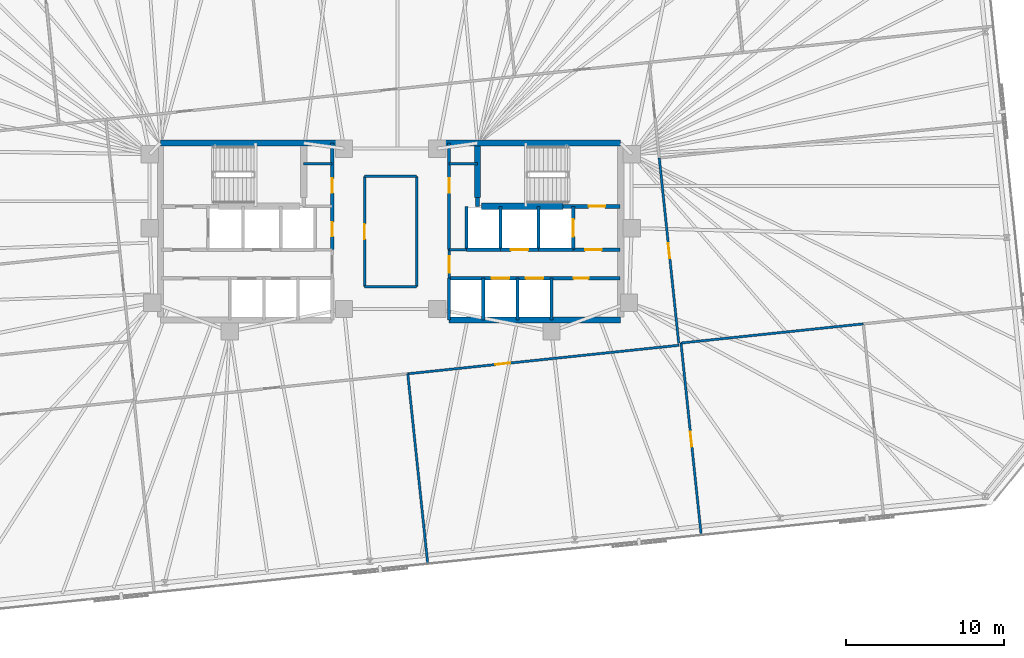
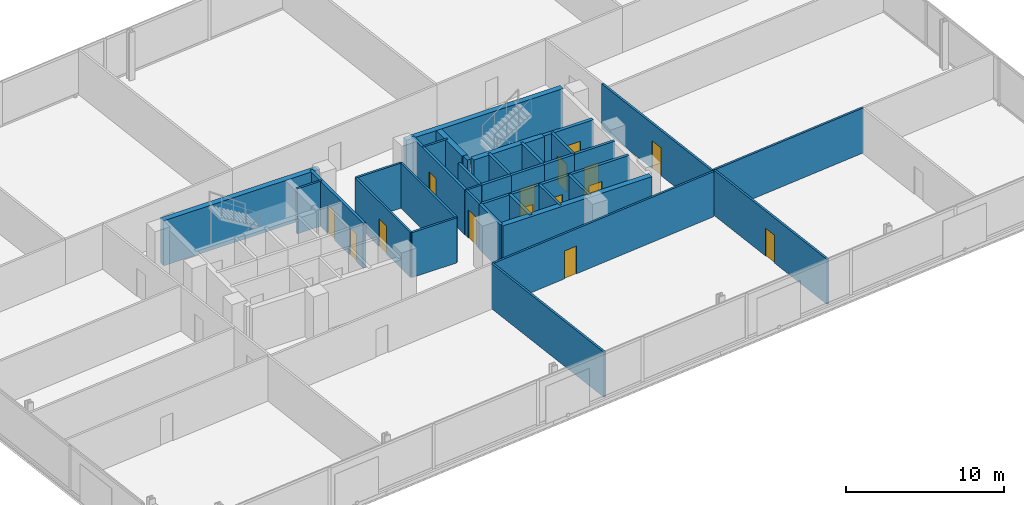
# One storey, part 15 of 18: 35 walls, 15 doors, 15 openings.
"""IFC4 building model written with IfcOpenShell, lengths in metres."""

from ifc_helpers import new_model, si_unit, direction, frame, frame_2d, origin, place, context, subcontext, project, spatial, rectangle, extrude, material, layer, layer_set, type_object, element, fill, save


model = new_model("IFC4")

# Units and contexts
model_context = context("Model", 3, precision=1e-05, world=origin(), true_north=direction((0.0, 1.0)))
body_context = subcontext(model_context, "Body", "Model", "MODEL_VIEW")
ifc_project = project(units=[si_unit("LENGTHUNIT", "METRE"), si_unit("AREAUNIT", "SQUARE_METRE"), si_unit("VOLUMEUNIT", "CUBIC_METRE"), si_unit("PLANEANGLEUNIT", "RADIAN"), si_unit("MASSUNIT", "GRAM", prefix="KILO")], contexts=[model_context])

# Site, building, storey
site_placement = place(None, origin())
site = spatial("IfcSite", under=ifc_project, at=site_placement, CompositionType="ELEMENT")
building_placement = place(site_placement, origin())
building = spatial("IfcBuilding", under=site, at=building_placement, Name="Menara Jurai Vektor", CompositionType="ELEMENT")
storey_placement = place(building_placement, frame((0.0, 0.0, 94.800048828125)))
storey = spatial("IfcBuildingStorey", under=building, at=storey_placement, Name="L23", CompositionType="ELEMENT", Elevation=94.800048828125)

# Wall, opening, door
ifc_material_1 = material(Name="Concrete C40/50", Category="concrete")
ifc_layer_1 = layer(ifc_material_1, 0.25)
ifc_layer_set_1 = layer_set([ifc_layer_1], Name="Concrete C40/50")
wall_type_1 = type_object("IfcWallType", Name="INT-WALL-CORE-250", PredefinedType="STANDARD", material=ifc_layer_set_1)
wall_1_placement = place(storey_placement, frame((10.89990234375, 1.60009765625, 0.0), z_axis=(0.0, 0.0, 1.0), x_axis=(1.0, 0.0, 0.0)))
wall_1 = element("IfcWall", 1, at=wall_1_placement, inside=storey, type_object=wall_type_1, Name="Interior Wall IW-250 L23", PredefinedType="STANDARD", context=body_context, shape_type="SweptSolid", body=[
    extrude(rectangle(XDim=3.60009765625, YDim=0.25, at=frame_2d((1.800048828125, 0.0))), origin(), (0.0, 0.0, 1.0), 3.474853515625),
])
opening_1_placement = place(wall_1_placement, frame((1.6201171875, 0.0, 0.0)))
opening_1 = element("IfcOpeningElement", 2, at=opening_1_placement, cuts=wall_1, Name="Opening D-L23-ST2", PredefinedType="OPENING", context=body_context, shape_type="SweptSolid", body=[
    extrude(rectangle(XDim=1.050048828125, YDim=2.14990234375, at=frame_2d((0.52490234375, 1.074951171875))), frame((0.0, 0.135009765625, 0.0), z_axis=(0.0, -1.0, 0.0), x_axis=(1.0, 0.0, 0.0)), (0.0, 0.0, 1.0), 0.27001953125),
])
ifc_material_2 = material(Name="Fire-Rated Steel Door", Category="steel")
door_type_1 = type_object("IfcDoorType", Name="DR-STAIR-1050", OperationType="NOTDEFINED", PredefinedType="DOOR", material=ifc_material_2)
door_1_placement = place(opening_1_placement, origin())
door_1 = element("IfcDoor", 3, at=door_1_placement, inside=storey, type_object=door_type_1, Name="Exit Stair ST2 Door L23", OperationType="SINGLE_SWING_LEFT", OverallHeight=2.14990234375, OverallWidth=1.050048828125, PredefinedType="DOOR", context=body_context, shape_type="SweptSolid", body=[
    extrude(rectangle(XDim=1.050048828125, YDim=2.14990234375, at=frame_2d((0.52490234375, 1.074951171875))), frame((0.0, 0.02490234375, 0.0), z_axis=(0.0, -1.0, 0.0), x_axis=(1.0, 0.0, 0.0)), (0.0, 0.0, 1.0), 0.050048828125),
])
fill(opening_1, door_1)

# Wall
wall_2_placement = place(storey_placement, frame((5.5, 1.60009765625, 0.0), z_axis=(0.0, 0.0, 1.0), x_axis=(0.0, 1.0, 0.0)))
element("IfcWall", 4, at=wall_2_placement, inside=storey, type_object=wall_type_1, Name="Interior Wall IW-250 L23", PredefinedType="STANDARD", context=body_context, shape_type="SweptSolid", body=[
    extrude(rectangle(XDim=0.5498046875, YDim=0.25, at=frame_2d((0.27490234375, 0.0))), origin(), (0.0, 0.0, 1.0), 3.474853515625),
])

# Wall, opening, door
wall_3_placement = place(storey_placement, frame((11.550048828125, -1.14990234375, 0.0), z_axis=(0.0, 0.0, 1.0), x_axis=(0.0, 1.0, 0.0)))
wall_3 = element("IfcWall", 5, at=wall_3_placement, inside=storey, type_object=wall_type_1, Name="Interior Wall IW-250 L23", PredefinedType="STANDARD", context=body_context, shape_type="SweptSolid", body=[
    extrude(rectangle(XDim=2.75, YDim=0.199951171875, at=frame_2d((1.375, 0.0))), origin(), (0.0, 0.0, 1.0), 3.474853515625),
])
opening_2_placement = place(wall_3_placement, frame((0.824951171875, 0.0, 0.0)))
opening_2 = element("IfcOpeningElement", 6, at=opening_2_placement, cuts=wall_3, Name="Opening LD-L23-FL2", PredefinedType="OPENING", context=body_context, shape_type="SweptSolid", body=[
    extrude(rectangle(XDim=1.10009765625, YDim=2.14990234375, at=frame_2d((0.550048828125, 1.074951171875))), frame((0.0, 0.10986328125, 0.0), z_axis=(0.0, -1.0, 0.0), x_axis=(1.0, 0.0, 0.0)), (0.0, 0.0, 1.0), 0.219970703125),
])
ifc_material_3 = material(Name="Stainless Steel Sliding Lift Landing Door", Category="steel")
door_type_2 = type_object("IfcDoorType", Name="DR-LIFT-FIRE-1100", OperationType="NOTDEFINED", PredefinedType="DOOR", material=ifc_material_3)
door_2_placement = place(opening_2_placement, origin())
door_2 = element("IfcDoor", 7, at=door_2_placement, inside=storey, type_object=door_type_2, Name="Lift Landing Door FL2 L23", OperationType="SLIDING_TO_RIGHT", OverallHeight=2.14990234375, OverallWidth=1.10009765625, PredefinedType="DOOR", context=body_context, shape_type="SweptSolid", body=[
    extrude(rectangle(XDim=1.10009765625, YDim=2.14990234375, at=frame_2d((0.550048828125, 1.074951171875))), frame((0.0, 0.02490234375, 0.0), z_axis=(0.0, -1.0, 0.0), x_axis=(1.0, 0.0, 0.0)), (0.0, 0.0, 1.0), 0.050048828125),
])
fill(opening_2, door_2)

# Wall
wall_4_placement = place(storey_placement, frame((9.35009765625, -1.14990234375, 0.0), z_axis=(0.0, 0.0, 1.0), x_axis=(0.0, 1.0, 0.0)))
element("IfcWall", 8, at=wall_4_placement, inside=storey, type_object=wall_type_1, Name="Interior Wall IW-250 L23", PredefinedType="STANDARD", context=body_context, shape_type="SweptSolid", body=[
    extrude(rectangle(XDim=2.75, YDim=0.199951171875, at=frame_2d((1.375, 0.0))), origin(), (0.0, 0.0, 1.0), 3.474853515625),
])

# Wall, opening, door
wall_5_placement = place(storey_placement, frame((11.550048828125, -1.14990234375, 0.0), z_axis=(0.0, 0.0, 1.0), x_axis=(1.0, 0.0, 0.0)))
wall_5 = element("IfcWall", 9, at=wall_5_placement, inside=storey, type_object=wall_type_1, Name="Interior Wall IW-250 L23", PredefinedType="STANDARD", context=body_context, shape_type="SweptSolid", body=[
    extrude(rectangle(XDim=2.949951171875, YDim=0.199951171875, at=frame_2d((1.47509765625, 0.0))), origin(), (0.0, 0.0, 1.0), 3.474853515625),
])
opening_3_placement = place(wall_5_placement, frame((0.75, 0.0, 0.0)))
opening_3 = element("IfcOpeningElement", 10, at=opening_3_placement, cuts=wall_5, Name="Opening D-L23-FFE", PredefinedType="OPENING", context=body_context, shape_type="SweptSolid", body=[
    extrude(rectangle(XDim=1.050048828125, YDim=2.179931640625, at=frame_2d((0.52490234375, 1.08984375))), frame((0.0, 0.10986328125, 0.0), z_axis=(0.0, -1.0, 0.0), x_axis=(1.0, 0.0, 0.0)), (0.0, 0.0, 1.0), 0.219970703125),
])
ifc_material_4 = material(Name="Fire-Rated Timber Door", Category="wood")
door_type_3 = type_object("IfcDoorType", Name="DR-LOBBY-1050", OperationType="NOTDEFINED", PredefinedType="DOOR", material=ifc_material_4)
door_3_placement = place(opening_3_placement, origin())
door_3 = element("IfcDoor", 11, at=door_3_placement, inside=storey, type_object=door_type_3, Name="Fire Lift Lobby Door E L23", OperationType="SINGLE_SWING_LEFT", OverallHeight=2.179931640625, OverallWidth=1.050048828125, PredefinedType="DOOR", context=body_context, shape_type="SweptSolid", body=[
    extrude(rectangle(XDim=1.050048828125, YDim=2.179931640625, at=frame_2d((0.52490234375, 1.08984375))), frame((0.0, 0.02490234375, 0.0), z_axis=(0.0, -1.0, 0.0), x_axis=(1.0, 0.0, 0.0)), (0.0, 0.0, 1.0), 0.050048828125),
])
fill(opening_3, door_3)

# Wall
wall_6_placement = place(storey_placement, frame((9.35009765625, -1.14990234375, 0.0), z_axis=(0.0, 0.0, 1.0), x_axis=(1.0, 0.0, 0.0)))
element("IfcWall", 12, at=wall_6_placement, inside=storey, type_object=wall_type_1, Name="Interior Wall IW-250 L23", PredefinedType="STANDARD", context=body_context, shape_type="SweptSolid", body=[
    extrude(rectangle(XDim=2.199951171875, YDim=0.199951171875, at=frame_2d((1.10009765625, 0.0))), origin(), (0.0, 0.0, 1.0), 3.474853515625),
])

# Wall, opening, door
ifc_material_5 = material(Name="Gypsum Fireboard Partition", Category="gypsum")
ifc_layer_2 = layer(ifc_material_5, 0.14990234375)
ifc_layer_set_2 = layer_set([ifc_layer_2], Name="Gypsum Fireboard Partition")
wall_type_2 = type_object("IfcWallType", Name="INT-WALL-CORR-150", PredefinedType="PARTITIONING", material=ifc_layer_set_2)
wall_7_placement = place(storey_placement, frame((3.699951171875, -2.949951171875, 0.0), z_axis=(0.0, 0.0, 1.0), x_axis=(0.0, 1.0, 0.0)))
wall_7 = element("IfcWall", 13, at=wall_7_placement, inside=storey, type_object=wall_type_2, Name="Interior Wall IW-150 L23", PredefinedType="PARTITIONING", context=body_context, shape_type="SweptSolid", body=[
    extrude(rectangle(XDim=1.800048828125, YDim=0.14990234375, at=frame_2d((0.89990234375, 0.0))), origin(), (0.0, 0.0, 1.0), 3.474853515625),
])
opening_4_placement = place(wall_7_placement, frame((0.35009765625, 0.0, 0.0)))
opening_4 = element("IfcOpeningElement", 14, at=opening_4_placement, cuts=wall_7, Name="Opening D-L23-LLE", PredefinedType="OPENING", context=body_context, shape_type="SweptSolid", body=[
    extrude(rectangle(XDim=1.050048828125, YDim=2.179931640625, at=frame_2d((0.52490234375, 1.08984375))), frame((0.0, 0.0849609375, 0.0), z_axis=(0.0, -1.0, 0.0), x_axis=(1.0, 0.0, 0.0)), (0.0, 0.0, 1.0), 0.169921875),
])
door_4_placement = place(opening_4_placement, frame((1.050048828125, 0.0, 0.0), z_axis=(0.0, 0.0, 1.0), x_axis=(-1.0, 0.0, 0.0)))
door_4 = element("IfcDoor", 15, at=door_4_placement, inside=storey, type_object=door_type_3, Name="Lift Lobby Corridor Door E L23", OperationType="SINGLE_SWING_RIGHT", OverallHeight=2.179931640625, OverallWidth=1.050048828125, PredefinedType="DOOR", context=body_context, shape_type="SweptSolid", body=[
    extrude(rectangle(XDim=1.050048828125, YDim=2.179931640625, at=frame_2d((0.52490234375, 1.08984375))), frame((0.0, 0.02490234375, 0.0), z_axis=(0.0, -1.0, 0.0), x_axis=(1.0, 0.0, 0.0)), (0.0, 0.0, 1.0), 0.050048828125),
])
fill(opening_4, door_4)

# Walls
wall_8_placement = place(storey_placement, frame((3.699951171875, -1.14990234375, 0.0), z_axis=(0.0, 0.0, 1.0), x_axis=(1.0, 0.0, 0.0)))
element("IfcWall", 16, at=wall_8_placement, inside=storey, type_object=wall_type_2, Name="Interior Wall IW-150 L23", PredefinedType="PARTITIONING", context=body_context, shape_type="SweptSolid", body=[
    extrude(rectangle(XDim=1.090087890625, YDim=0.14990234375, at=frame_2d((0.544921875, 0.0))), origin(), (0.0, 0.0, 1.0), 3.474853515625),
])
for number, where, z_axis, x_axis, name in (
    (17, (-5.5, 4.300048828125, 0.0), (0.0, 0.0, 1.0), (1.0, 0.0, 0.0), "Interior Wall IW-150 L23"),
    (18, (3.699951171875, 4.300048828125, 0.0), (0.0, 0.0, 1.0), (1.0, 0.0, 0.0), "Interior Wall IW-150 L23"),
):
    element("IfcWall", number, at=place(storey_placement, frame(where, z_axis=z_axis, x_axis=x_axis)), inside=storey, type_object=wall_type_2, Name=name, PredefinedType="PARTITIONING", context=body_context, shape_type="SweptSolid", body=[
        extrude(rectangle(XDim=1.800048828125, YDim=0.14990234375, at=frame_2d((0.89990234375, 0.0))), origin(), (0.0, 0.0, 1.0), 3.474853515625),
    ])

# Wall, opening, door
wall_9_placement = place(storey_placement, frame((-1.649658203125, -3.490478515625, 0.0), z_axis=(0.0, 0.0, 1.0), x_axis=(-0.000104928124, 0.999999994495, 0.0)))
wall_9 = element("IfcWall", 19, at=wall_9_placement, inside=storey, type_object=wall_type_2, Name="Interior Wall IW-150 L23", PredefinedType="PARTITIONING", context=body_context, shape_type="SweptSolid", body=[
    extrude(rectangle(XDim=6.980224609375, YDim=0.14990234375, at=frame_2d((3.490234375, 0.0))), origin(), (0.0, 0.0, 1.0), 3.474853515625),
])
opening_5_placement = place(wall_9_placement, frame((3.01513671875, 0.0, 0.0)))
opening_5 = element("IfcOpeningElement", 20, at=opening_5_placement, cuts=wall_9, Name="Opening D23-06", PredefinedType="OPENING", context=body_context, shape_type="SweptSolid", body=[
    extrude(rectangle(XDim=0.949951171875, YDim=2.14990234375, at=frame_2d((0.47509765625, 1.074951171875))), frame((0.0, 0.0849609375, 0.0), z_axis=(0.0, -1.0, 0.0), x_axis=(1.0, 0.0, 0.0)), (0.0, 0.0, 1.0), 0.169921875),
])
ifc_material_6 = material(Name="Solid Core Timber Fire Door", Category="wood")
door_type_4 = type_object("IfcDoorType", Name="DR-ENTRY-950", OperationType="NOTDEFINED", PredefinedType="DOOR", material=ifc_material_6)
door_5_placement = place(opening_5_placement, origin())
door_5 = element("IfcDoor", 21, at=door_5_placement, inside=storey, type_object=door_type_4, Name="Interior Door D23-06", OperationType="SINGLE_SWING_LEFT", OverallHeight=2.14990234375, OverallWidth=0.949951171875, PredefinedType="DOOR", context=body_context, shape_type="SweptSolid", body=[
    extrude(rectangle(XDim=0.949951171875, YDim=2.14990234375, at=frame_2d((0.47509765625, 1.074951171875))), frame((0.0, 0.02490234375, 0.0), z_axis=(0.0, -1.0, 0.0), x_axis=(1.0, 0.0, 0.0)), (0.0, 0.0, 1.0), 0.050048828125),
])
fill(opening_5, door_5)

# Walls
wall_10_placement = place(storey_placement, frame((-1.649658203125, -3.490478515625, 0.0), z_axis=(0.0, 0.0, 1.0), x_axis=(1.0, 0.0, 0.0)))
element("IfcWall", 22, at=wall_10_placement, inside=storey, type_object=wall_type_2, Name="Interior Wall IW-150 L23", PredefinedType="PARTITIONING", context=body_context, shape_type="SweptSolid", body=[
    extrude(rectangle(XDim=3.300048828125, YDim=0.14990234375, at=frame_2d((1.64990234375, 0.0))), origin(), (0.0, 0.0, 1.0), 3.474853515625),
])
wall_11_placement = place(storey_placement, frame((-1.650390625, 3.48974609375, 0.0), z_axis=(0.0, 0.0, 1.0), x_axis=(1.0, 0.0, 0.0)))
element("IfcWall", 23, at=wall_11_placement, inside=storey, type_object=wall_type_2, Name="Interior Wall IW-150 L23", PredefinedType="PARTITIONING", context=body_context, shape_type="SweptSolid", body=[
    extrude(rectangle(XDim=3.30029296875, YDim=0.14990234375, at=frame_2d((1.650146484375, 0.0))), origin(), (0.0, 0.0, 1.0), 3.474853515625),
])
wall_12_placement = place(storey_placement, frame((1.650390625, -3.490478515625, 0.0), z_axis=(0.0, 0.0, 1.0), x_axis=(-6.9952083e-05, 0.999999997553, 0.0)))
element("IfcWall", 24, at=wall_12_placement, inside=storey, type_object=wall_type_2, Name="Interior Wall IW-150 L23", PredefinedType="PARTITIONING", context=body_context, shape_type="SweptSolid", body=[
    extrude(rectangle(XDim=6.980224609375, YDim=0.14990234375, at=frame_2d((3.490234375, 0.0))), origin(), (0.0, 0.0, 1.0), 3.474853515625),
])

# Wall, opening, door
wall_13_placement = place(storey_placement, frame((1.08203125, -8.9990234375, 0.0), z_axis=(0.0, 0.0, 1.0), x_axis=(0.994522803526, 0.104519822363, 0.0)))
wall_13 = element("IfcWall", 25, at=wall_13_placement, inside=storey, type_object=wall_type_2, Name="Interior Wall IW-150 L23", PredefinedType="PARTITIONING", context=body_context, shape_type="SweptSolid", body=[
    extrude(rectangle(XDim=17.257080078125, YDim=0.14990234375, at=frame_2d((8.62841796875, 0.0))), origin(), (0.0, 0.0, 1.0), 3.474853515625),
])
opening_6_placement = place(wall_13_placement, frame((5.56494140625, 0.0, 0.0)))
opening_6 = element("IfcOpeningElement", 26, at=opening_6_placement, cuts=wall_13, Name="Opening D23-11", PredefinedType="OPENING", context=body_context, shape_type="SweptSolid", body=[
    extrude(rectangle(XDim=0.949951171875, YDim=2.14990234375, at=frame_2d((0.47509765625, 1.074951171875))), frame((0.0, 0.0849609375, 0.0), z_axis=(0.0, -1.0, 0.0), x_axis=(1.0, 0.0, 0.0)), (0.0, 0.0, 1.0), 0.169921875),
])
door_6_placement = place(opening_6_placement, origin())
door_6 = element("IfcDoor", 27, at=door_6_placement, inside=storey, type_object=door_type_4, Name="Interior Door D23-11", OperationType="SINGLE_SWING_RIGHT", OverallHeight=2.14990234375, OverallWidth=0.949951171875, PredefinedType="DOOR", context=body_context, shape_type="SweptSolid", body=[
    extrude(rectangle(XDim=0.949951171875, YDim=2.14990234375, at=frame_2d((0.47509765625, 1.074951171875))), frame((0.0, 0.02490234375, 0.0), z_axis=(0.0, -1.0, 0.0), x_axis=(1.0, 0.0, 0.0)), (0.0, 0.0, 1.0), 0.050048828125),
])
fill(opening_6, door_6)

wall_14_placement = place(storey_placement, frame((18.231201171875, -7.06787109375, 0.0), z_axis=(0.0, 0.0, 1.0), x_axis=(-0.104536082083, 0.994521094569, 0.0)))
wall_14 = element("IfcWall", 28, at=wall_14_placement, inside=storey, type_object=wall_type_2, Name="Interior Wall IW-150 L23", PredefinedType="PARTITIONING", context=body_context, shape_type="SweptSolid", body=[
    extrude(rectangle(XDim=11.794189453125, YDim=0.14990234375, at=frame_2d((5.89697265625, 0.0))), origin(), (0.0, 0.0, 1.0), 3.474853515625),
])
opening_7_placement = place(wall_14_placement, frame((5.422119140625, 0.0, 0.0)))
opening_7 = element("IfcOpeningElement", 29, at=opening_7_placement, cuts=wall_14, Name="Opening D23-15", PredefinedType="OPENING", context=body_context, shape_type="SweptSolid", body=[
    extrude(rectangle(XDim=0.949951171875, YDim=2.14990234375, at=frame_2d((0.47509765625, 1.074951171875))), frame((0.0, 0.0849609375, 0.0), z_axis=(0.0, -1.0, 0.0), x_axis=(1.0, 0.0, 0.0)), (0.0, 0.0, 1.0), 0.169921875),
])
door_7_placement = place(opening_7_placement, origin())
door_7 = element("IfcDoor", 30, at=door_7_placement, inside=storey, type_object=door_type_4, Name="Interior Door D23-15", OperationType="SINGLE_SWING_RIGHT", OverallHeight=2.14990234375, OverallWidth=0.949951171875, PredefinedType="DOOR", context=body_context, shape_type="SweptSolid", body=[
    extrude(rectangle(XDim=0.949951171875, YDim=2.14990234375, at=frame_2d((0.47509765625, 1.074951171875))), frame((0.0, 0.02490234375, 0.0), z_axis=(0.0, -1.0, 0.0), x_axis=(1.0, 0.0, 0.0)), (0.0, 0.0, 1.0), 0.050048828125),
])
fill(opening_7, door_7)

# Wall
wall_15_placement = place(storey_placement, frame((2.34619140625, -21.02587890625, 0.0), z_axis=(0.0, 0.0, 1.0), x_axis=(-0.104535555083, 0.994521149963, 0.0)))
element("IfcWall", 31, at=wall_15_placement, inside=storey, type_object=wall_type_2, Name="Interior Wall IW-150 L23", PredefinedType="PARTITIONING", context=body_context, shape_type="SweptSolid", body=[
    extrude(rectangle(XDim=12.093017578125, YDim=0.14990234375, at=frame_2d((6.04638671875, 0.0))), origin(), (0.0, 0.0, 1.0), 3.474853515625),
])

# Wall, opening, door
wall_16_placement = place(storey_placement, frame((19.65087890625, -19.20703125, 0.0), z_axis=(0.0, 0.0, 1.0), x_axis=(-0.104540236679, 0.994520657862, 0.0)))
wall_16 = element("IfcWall", 32, at=wall_16_placement, inside=storey, type_object=wall_type_2, Name="Interior Wall IW-150 L23", PredefinedType="PARTITIONING", context=body_context, shape_type="SweptSolid", body=[
    extrude(rectangle(XDim=12.220947265625, YDim=0.14990234375, at=frame_2d((6.1103515625, 0.0))), origin(), (0.0, 0.0, 1.0), 3.474853515625),
])
opening_8_placement = place(wall_16_placement, frame((5.635498046875, 0.0, 0.0)))
opening_8 = element("IfcOpeningElement", 33, at=opening_8_placement, cuts=wall_16, Name="Opening D23-20", PredefinedType="OPENING", context=body_context, shape_type="SweptSolid", body=[
    extrude(rectangle(XDim=0.949951171875, YDim=2.14990234375, at=frame_2d((0.47509765625, 1.074951171875))), frame((0.0, 0.0849609375, 0.0), z_axis=(0.0, -1.0, 0.0), x_axis=(1.0, 0.0, 0.0)), (0.0, 0.0, 1.0), 0.169921875),
])
door_8_placement = place(opening_8_placement, origin())
door_8 = element("IfcDoor", 34, at=door_8_placement, inside=storey, type_object=door_type_4, Name="Interior Door D23-20", OperationType="SINGLE_SWING_LEFT", OverallHeight=2.14990234375, OverallWidth=0.949951171875, PredefinedType="DOOR", context=body_context, shape_type="SweptSolid", body=[
    extrude(rectangle(XDim=0.949951171875, YDim=2.14990234375, at=frame_2d((0.47509765625, 1.074951171875))), frame((0.0, 0.02490234375, 0.0), z_axis=(0.0, -1.0, 0.0), x_axis=(1.0, 0.0, 0.0)), (0.0, 0.0, 1.0), 0.050048828125),
])
fill(opening_8, door_8)

# Wall
wall_17_placement = place(storey_placement, frame((18.373291015625, -7.052978515625, 0.0), z_axis=(0.0, 0.0, 1.0), x_axis=(0.994521010406, 0.104536882776, 0.0)))
element("IfcWall", 35, at=wall_17_placement, inside=storey, type_object=wall_type_2, Name="Interior Wall IW-150 L23", PredefinedType="PARTITIONING", context=body_context, shape_type="SweptSolid", body=[
    extrude(rectangle(XDim=11.60009765625, YDim=0.14990234375, at=frame_2d((5.800048828125, 0.0))), origin(), (0.0, 0.0, 1.0), 3.474853515625),
])

# Wall, openings, doors
ifc_layer_3 = layer(ifc_material_1, 0.199951171875)
ifc_layer_set_3 = layer_set([ifc_layer_3], Name="Concrete C40/50")
wall_type_3 = type_object("IfcWallType", Name="INT-WALL-SHAFT-200", PredefinedType="STANDARD", material=ifc_layer_set_3)
wall_18_placement = place(storey_placement, frame((-3.699951171875, -1.14990234375, 0.0), z_axis=(0.0, 0.0, 1.0), x_axis=(0.0, 1.0, 0.0)))
wall_18 = element("IfcWall", 36, at=wall_18_placement, inside=storey, type_object=wall_type_3, Name="Interior Wall IW-200 L23", PredefinedType="STANDARD", context=body_context, shape_type="SweptSolid", body=[
    extrude(rectangle(XDim=6.75, YDim=0.199951171875, at=frame_2d((3.375, 0.0))), origin(), (0.0, 0.0, 1.0), 3.474853515625),
])
opening_9_placement = place(wall_18_placement, frame((3.60009765625, 0.0, 0.0)))
opening_9 = element("IfcOpeningElement", 37, at=opening_9_placement, cuts=wall_18, Name="Opening D23-02", PredefinedType="OPENING", context=body_context, shape_type="SweptSolid", body=[
    extrude(rectangle(XDim=0.919921875, YDim=2.14990234375, at=frame_2d((0.4599609375, 1.074951171875))), frame((0.0, 0.10986328125, 0.0), z_axis=(0.0, -1.0, 0.0), x_axis=(1.0, 0.0, 0.0)), (0.0, 0.0, 1.0), 0.219970703125),
])
opening_10_placement = place(wall_18_placement, frame((0.85009765625, 0.0, 0.0)))
opening_10 = element("IfcOpeningElement", 38, at=opening_10_placement, cuts=wall_18, Name="Opening D23-03", PredefinedType="OPENING", context=body_context, shape_type="SweptSolid", body=[
    extrude(rectangle(XDim=0.89990234375, YDim=2.14990234375, at=frame_2d((0.449951171875, 1.074951171875))), frame((0.0, 0.10986328125, 0.0), z_axis=(0.0, -1.0, 0.0), x_axis=(1.0, 0.0, 0.0)), (0.0, 0.0, 1.0), 0.219970703125),
])
door_9_placement = place(opening_9_placement, origin())
door_9 = element("IfcDoor", 39, at=door_9_placement, inside=storey, type_object=door_type_4, Name="Interior Door D23-02", OperationType="SINGLE_SWING_LEFT", OverallHeight=2.14990234375, OverallWidth=0.919921875, PredefinedType="DOOR", context=body_context, shape_type="SweptSolid", body=[
    extrude(rectangle(XDim=0.919921875, YDim=2.14990234375, at=frame_2d((0.4599609375, 1.074951171875))), frame((0.0, 0.02490234375, 0.0), z_axis=(0.0, -1.0, 0.0), x_axis=(1.0, 0.0, 0.0)), (0.0, 0.0, 1.0), 0.050048828125),
])
fill(opening_9, door_9)
door_10_placement = place(opening_10_placement, origin())
door_10 = element("IfcDoor", 40, at=door_10_placement, inside=storey, type_object=door_type_4, Name="Interior Door D23-03", OperationType="SINGLE_SWING_LEFT", OverallHeight=2.14990234375, OverallWidth=0.89990234375, PredefinedType="DOOR", context=body_context, shape_type="SweptSolid", body=[
    extrude(rectangle(XDim=0.89990234375, YDim=2.14990234375, at=frame_2d((0.449951171875, 1.074951171875))), frame((0.0, 0.02490234375, 0.0), z_axis=(0.0, -1.0, 0.0), x_axis=(1.0, 0.0, 0.0)), (0.0, 0.0, 1.0), 0.050048828125),
])
fill(opening_10, door_10)

# Wall, opening, door
wall_19_placement = place(storey_placement, frame((3.699951171875, -1.14990234375, 0.0), z_axis=(0.0, 0.0, 1.0), x_axis=(0.0, 1.0, 0.0)))
wall_19 = element("IfcWall", 41, at=wall_19_placement, inside=storey, type_object=wall_type_3, Name="Interior Wall IW-200 L23", PredefinedType="STANDARD", context=body_context, shape_type="SweptSolid", body=[
    extrude(rectangle(XDim=6.75, YDim=0.199951171875, at=frame_2d((3.375, 0.0))), origin(), (0.0, 0.0, 1.0), 3.474853515625),
])
opening_11_placement = place(wall_19_placement, frame((3.60009765625, 0.0, 0.0)))
opening_11 = element("IfcOpeningElement", 42, at=opening_11_placement, cuts=wall_19, Name="Opening D23-05", PredefinedType="OPENING", context=body_context, shape_type="SweptSolid", body=[
    extrude(rectangle(XDim=0.919921875, YDim=2.14990234375, at=frame_2d((0.4599609375, 1.074951171875))), frame((0.0, 0.10986328125, 0.0), z_axis=(0.0, -1.0, 0.0), x_axis=(1.0, 0.0, 0.0)), (0.0, 0.0, 1.0), 0.219970703125),
])
door_11_placement = place(opening_11_placement, origin())
door_11 = element("IfcDoor", 43, at=door_11_placement, inside=storey, type_object=door_type_4, Name="Interior Door D23-05", OperationType="SINGLE_SWING_RIGHT", OverallHeight=2.14990234375, OverallWidth=0.919921875, PredefinedType="DOOR", context=body_context, shape_type="SweptSolid", body=[
    extrude(rectangle(XDim=0.919921875, YDim=2.14990234375, at=frame_2d((0.4599609375, 1.074951171875))), frame((0.0, 0.02490234375, 0.0), z_axis=(0.0, -1.0, 0.0), x_axis=(1.0, 0.0, 0.0)), (0.0, 0.0, 1.0), 0.050048828125),
])
fill(opening_11, door_11)

# Walls
wall_20_placement = place(storey_placement, frame((3.699951171875, -5.60009765625, 0.0), z_axis=(0.0, 0.0, 1.0), x_axis=(0.0, 1.0, 0.0)))
element("IfcWall", 44, at=wall_20_placement, inside=storey, type_object=wall_type_3, Name="Interior Wall IW-200 L23", PredefinedType="STANDARD", context=body_context, shape_type="SweptSolid", body=[
    extrude(rectangle(XDim=2.650146484375, YDim=0.199951171875, at=frame_2d((1.3251953125, 0.0))), origin(), (0.0, 0.0, 1.0), 3.474853515625),
])
wall_21_placement = place(storey_placement, frame((6.949951171875, -1.14990234375, 0.0), z_axis=(0.0, 0.0, 1.0), x_axis=(0.0, 1.0, 0.0)))
element("IfcWall", 45, at=wall_21_placement, inside=storey, type_object=wall_type_3, Name="Interior Wall IW-200 L23", PredefinedType="STANDARD", context=body_context, shape_type="SweptSolid", body=[
    extrude(rectangle(XDim=2.75, YDim=0.199951171875, at=frame_2d((1.375, 0.0))), origin(), (0.0, 0.0, 1.0), 3.474853515625),
])

# Wall, opening, door
wall_22_placement = place(storey_placement, frame((6.949951171875, -1.14990234375, 0.0), z_axis=(0.0, 0.0, 1.0), x_axis=(1.0, 0.0, 0.0)))
wall_22 = element("IfcWall", 46, at=wall_22_placement, inside=storey, type_object=wall_type_3, Name="Interior Wall IW-200 L23", PredefinedType="STANDARD", context=body_context, shape_type="SweptSolid", body=[
    extrude(rectangle(XDim=2.400146484375, YDim=0.199951171875, at=frame_2d((1.2001953125, 0.0))), origin(), (0.0, 0.0, 1.0), 3.474853515625),
])
opening_12_placement = place(wall_22_placement, frame((0.64990234375, 0.0, 0.0)))
opening_12 = element("IfcOpeningElement", 47, at=opening_12_placement, cuts=wall_22, Name="Opening LD-L23-SVL2", PredefinedType="OPENING", context=body_context, shape_type="SweptSolid", body=[
    extrude(rectangle(XDim=1.10009765625, YDim=2.14990234375, at=frame_2d((0.550048828125, 1.074951171875))), frame((0.0, 0.10986328125, 0.0), z_axis=(0.0, -1.0, 0.0), x_axis=(1.0, 0.0, 0.0)), (0.0, 0.0, 1.0), 0.219970703125),
])
ifc_material_7 = material(Name="Anodised Stainless Sliding Lift Landing Door", Category="steel")
door_type_5 = type_object("IfcDoorType", Name="DR-LIFT-PASS-1100", OperationType="NOTDEFINED", PredefinedType="DOOR", material=ifc_material_7)
door_12_placement = place(opening_12_placement, origin())
door_12 = element("IfcDoor", 48, at=door_12_placement, inside=storey, type_object=door_type_5, Name="Lift Landing Door SVL2 L23", OperationType="SLIDING_TO_RIGHT", OverallHeight=2.14990234375, OverallWidth=1.10009765625, PredefinedType="DOOR", context=body_context, shape_type="SweptSolid", body=[
    extrude(rectangle(XDim=1.10009765625, YDim=2.14990234375, at=frame_2d((0.550048828125, 1.074951171875))), frame((0.0, 0.02490234375, 0.0), z_axis=(0.0, -1.0, 0.0), x_axis=(1.0, 0.0, 0.0)), (0.0, 0.0, 1.0), 0.050048828125),
])
fill(opening_12, door_12)

# Walls
wall_23_placement = place(storey_placement, frame((4.7900390625, -1.14990234375, 0.0), z_axis=(0.0, 0.0, 1.0), x_axis=(0.0, 1.0, 0.0)))
element("IfcWall", 49, at=wall_23_placement, inside=storey, type_object=wall_type_3, Name="Interior Wall IW-200 L23", PredefinedType="STANDARD", context=body_context, shape_type="SweptSolid", body=[
    extrude(rectangle(XDim=2.75, YDim=0.199951171875, at=frame_2d((1.375, 0.0))), origin(), (0.0, 0.0, 1.0), 3.474853515625),
])
wall_24_placement = place(storey_placement, frame((4.7900390625, -1.14990234375, 0.0), z_axis=(0.0, 0.0, 1.0), x_axis=(1.0, 0.0, 0.0)))
element("IfcWall", 50, at=wall_24_placement, inside=storey, type_object=wall_type_3, Name="Interior Wall IW-200 L23", PredefinedType="STANDARD", context=body_context, shape_type="SweptSolid", body=[
    extrude(rectangle(XDim=2.159912109375, YDim=0.199951171875, at=frame_2d((1.080078125, 0.0))), origin(), (0.0, 0.0, 1.0), 3.474853515625),
])

# Wall, openings, doors
wall_25_placement = place(storey_placement, frame((3.699951171875, -2.949951171875, 0.0), z_axis=(0.0, 0.0, 1.0), x_axis=(1.0, 0.0, 0.0)))
wall_25 = element("IfcWall", 51, at=wall_25_placement, inside=storey, type_object=wall_type_3, Name="Interior Wall IW-200 L23", PredefinedType="STANDARD", context=body_context, shape_type="SweptSolid", body=[
    extrude(rectangle(XDim=10.800048828125, YDim=0.199951171875, at=frame_2d((5.39990234375, 0.0))), origin(), (0.0, 0.0, 1.0), 3.474853515625),
])
opening_13_placement = place(wall_25_placement, frame((2.68994140625, 0.0, 0.0)))
opening_13 = element("IfcOpeningElement", 52, at=opening_13_placement, cuts=wall_25, Name="Opening LD-L23-PM3", PredefinedType="OPENING", context=body_context, shape_type="SweptSolid", body=[
    extrude(rectangle(XDim=1.10009765625, YDim=2.14990234375, at=frame_2d((0.550048828125, 1.074951171875))), frame((0.0, 0.10986328125, 0.0), z_axis=(0.0, -1.0, 0.0), x_axis=(1.0, 0.0, 0.0)), (0.0, 0.0, 1.0), 0.219970703125),
])
opening_14_placement = place(wall_25_placement, frame((4.85009765625, 0.0, 0.0)))
opening_14 = element("IfcOpeningElement", 53, at=opening_14_placement, cuts=wall_25, Name="Opening LD-L23-PM4", PredefinedType="OPENING", context=body_context, shape_type="SweptSolid", body=[
    extrude(rectangle(XDim=1.10009765625, YDim=2.14990234375, at=frame_2d((0.550048828125, 1.074951171875))), frame((0.0, 0.10986328125, 0.0), z_axis=(0.0, -1.0, 0.0), x_axis=(1.0, 0.0, 0.0)), (0.0, 0.0, 1.0), 0.219970703125),
])
opening_15_placement = place(wall_25_placement, frame((7.8798828125, 0.0, 0.0)))
opening_15 = element("IfcOpeningElement", 54, at=opening_15_placement, cuts=wall_25, Name="Opening D23-04", PredefinedType="OPENING", context=body_context, shape_type="SweptSolid", body=[
    extrude(rectangle(XDim=0.949951171875, YDim=2.14990234375, at=frame_2d((0.47509765625, 1.074951171875))), frame((0.0, 0.10986328125, 0.0), z_axis=(0.0, -1.0, 0.0), x_axis=(1.0, 0.0, 0.0)), (0.0, 0.0, 1.0), 0.219970703125),
])
door_13_placement = place(opening_15_placement, origin())
door_13 = element("IfcDoor", 55, at=door_13_placement, inside=storey, type_object=door_type_4, Name="Interior Door D23-04", OperationType="SINGLE_SWING_LEFT", OverallHeight=2.14990234375, OverallWidth=0.949951171875, PredefinedType="DOOR", context=body_context, shape_type="SweptSolid", body=[
    extrude(rectangle(XDim=0.949951171875, YDim=2.14990234375, at=frame_2d((0.47509765625, 1.074951171875))), frame((0.0, 0.02490234375, 0.0), z_axis=(0.0, -1.0, 0.0), x_axis=(1.0, 0.0, 0.0)), (0.0, 0.0, 1.0), 0.050048828125),
])
fill(opening_15, door_13)
door_14_placement = place(opening_13_placement, origin())
door_14 = element("IfcDoor", 56, at=door_14_placement, inside=storey, type_object=door_type_5, Name="Lift Landing Door PM3 L23", OperationType="SLIDING_TO_LEFT", OverallHeight=2.14990234375, OverallWidth=1.10009765625, PredefinedType="DOOR", context=body_context, shape_type="SweptSolid", body=[
    extrude(rectangle(XDim=1.10009765625, YDim=2.14990234375, at=frame_2d((0.550048828125, 1.074951171875))), frame((0.0, 0.02490234375, 0.0), z_axis=(0.0, -1.0, 0.0), x_axis=(1.0, 0.0, 0.0)), (0.0, 0.0, 1.0), 0.050048828125),
])
fill(opening_13, door_14)
door_15_placement = place(opening_14_placement, origin())
door_15 = element("IfcDoor", 57, at=door_15_placement, inside=storey, type_object=door_type_5, Name="Lift Landing Door PM4 L23", OperationType="SLIDING_TO_RIGHT", OverallHeight=2.14990234375, OverallWidth=1.10009765625, PredefinedType="DOOR", context=body_context, shape_type="SweptSolid", body=[
    extrude(rectangle(XDim=1.10009765625, YDim=2.14990234375, at=frame_2d((0.550048828125, 1.074951171875))), frame((0.0, 0.02490234375, 0.0), z_axis=(0.0, -1.0, 0.0), x_axis=(1.0, 0.0, 0.0)), (0.0, 0.0, 1.0), 0.050048828125),
])
fill(opening_14, door_15)

# Walls
wall_26_placement = place(storey_placement, frame((5.860107421875, -5.60009765625, 0.0), z_axis=(0.0, 0.0, 1.0), x_axis=(0.0, 1.0, 0.0)))
element("IfcWall", 58, at=wall_26_placement, inside=storey, type_object=wall_type_3, Name="Interior Wall IW-200 L23", PredefinedType="STANDARD", context=body_context, shape_type="SweptSolid", body=[
    extrude(rectangle(XDim=2.650146484375, YDim=0.199951171875, at=frame_2d((1.3251953125, 0.0))), origin(), (0.0, 0.0, 1.0), 3.474853515625),
])
for number, where, z_axis, x_axis, name in (
    (59, (10.179931640625, -5.60009765625, 0.0), (0.0, 0.0, 1.0), (0.0, 1.0, 0.0), "Interior Wall IW-200 L23"),
    (60, (8.02001953125, -5.60009765625, 0.0), (0.0, 0.0, 1.0), (0.0, 1.0, 0.0), "Interior Wall IW-200 L23"),
):
    element("IfcWall", number, at=place(storey_placement, frame(where, z_axis=z_axis, x_axis=x_axis)), inside=storey, type_object=wall_type_3, Name=name, PredefinedType="STANDARD", context=body_context, shape_type="SweptSolid", body=[
        extrude(rectangle(XDim=2.650146484375, YDim=0.179931640625, at=frame_2d((1.3251953125, 0.0))), origin(), (0.0, 0.0, 1.0), 3.474853515625),
    ])
ifc_material_8 = material(Name="Concrete C50/60", Category="concrete")
ifc_layer_4 = layer(ifc_material_8, 0.39990234375)
ifc_layer_set_4 = layer_set([ifc_layer_4], Name="Concrete C50/60")
wall_type_4 = type_object("IfcWallType", Name="STR-WALL-CORE400", PredefinedType="SHEAR", material=ifc_layer_set_4)
for number, where, z_axis, x_axis, name in (
    (61, (-14.56005859375, 5.60009765625, 0.0), (0.0, 0.0, 1.0), (1.0, 0.0, 0.0), "Core Shear Wall CW-W-N L23"),
    (62, (3.14990234375, 5.60009765625, 0.0), (0.0, 0.0, 1.0), (1.0, 0.0, 0.0), "Core Shear Wall CW-E-N L23"),
):
    element("IfcWall", number, at=place(storey_placement, frame(where, z_axis=z_axis, x_axis=x_axis)), inside=storey, type_object=wall_type_4, Name=name, PredefinedType="SHEAR", context=body_context, shape_type="SweptSolid", body=[
        extrude(rectangle(XDim=11.41015625, YDim=0.39990234375, at=frame_2d((5.705078125, 0.0))), origin(), (0.0, 0.0, 1.0), 3.474853515625),
    ])
wall_27_placement = place(storey_placement, frame((3.699951171875, -5.60009765625, 0.0), z_axis=(0.0, 0.0, 1.0), x_axis=(1.0, 0.0, 0.0)))
element("IfcWall", 63, at=wall_27_placement, inside=storey, type_object=wall_type_4, Name="Core Shear Wall CW-E-S L23", PredefinedType="SHEAR", context=body_context, shape_type="SweptSolid", body=[
    extrude(rectangle(XDim=10.860107421875, YDim=0.39990234375, at=frame_2d((5.43017578125, 0.0))), origin(), (0.0, 0.0, 1.0), 3.474853515625),
])
wall_28_placement = place(storey_placement, frame((5.5, 2.14990234375, 0.0), z_axis=(0.0, 0.0, 1.0), x_axis=(0.0, 1.0, 0.0)))
element("IfcWall", 64, at=wall_28_placement, inside=storey, type_object=wall_type_4, Name="Core Shear Wall CW-E-ST L23", PredefinedType="SHEAR", context=body_context, shape_type="SweptSolid", body=[
    extrude(rectangle(XDim=3.25, YDim=0.39990234375, at=frame_2d((1.625, 0.0))), origin(), (0.0, 0.0, 1.0), 3.474853515625),
])
wall_29_placement = place(storey_placement, frame((5.75, 1.60009765625, 0.0), z_axis=(0.0, 0.0, 1.0), x_axis=(1.0, 0.0, 0.0)))
element("IfcWall", 65, at=wall_29_placement, inside=storey, type_object=wall_type_4, Name="Core Shear Wall CW-E-STS L23", PredefinedType="SHEAR", context=body_context, shape_type="SweptSolid", body=[
    extrude(rectangle(XDim=5.14990234375, YDim=0.39990234375, at=frame_2d((2.574951171875, 0.0))), origin(), (0.0, 0.0, 1.0), 3.474853515625),
])

save(model, "model.ifc")
